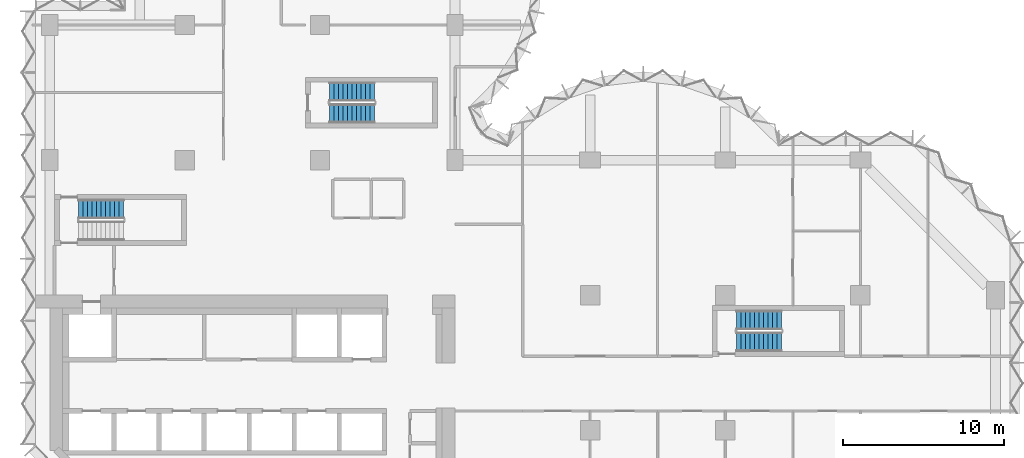
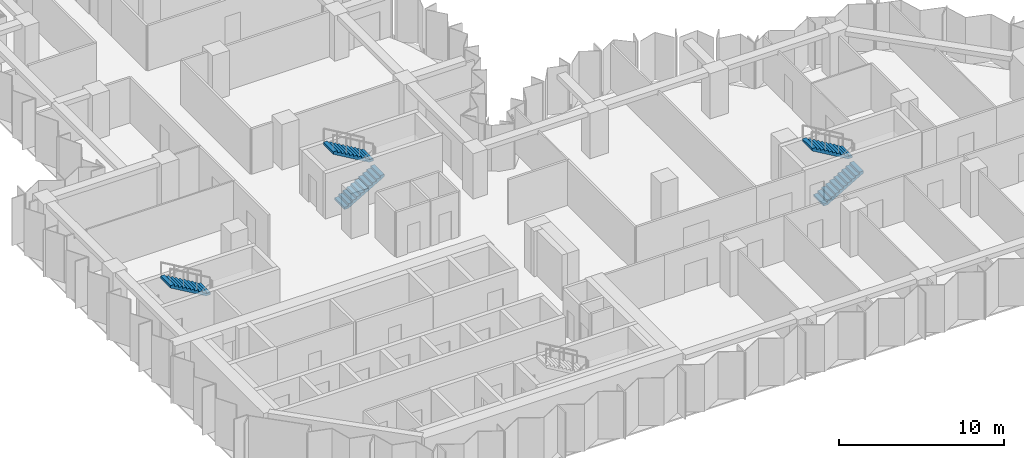
# One storey, part 9 of 11: 5 stair flights, 3 elements without a shape of their own.
"""IFC4 building model written with IfcOpenShell, lengths in metres."""

import ifcopenshell
import ifcopenshell.guid

model = None  # the IFC model being written
_history = None  # IfcOwnerHistory: only IFC2X3 demands one
_inside = {}  # id of a spatial element -> (the spatial element, [elements in it])
_under = {}  # id of a project, library or spatial element -> (it, [spatial elements below it])
_declared = {}  # id of a project -> (the project, [libraries it declares])
_typed = {}  # id of a type object -> (the type object, [elements of that type])
_made_of = {}  # id of a material, layer set ... -> (it, [elements and type objects made of it])


def new_model(schema):
    """Start an empty IFC model of exactly this schema.

    Asked for "IFC4X3", IfcOpenShell would pick the latest addendum, in which some entities
    have other attributes; the version numbers below select the first issue.
    IFC2X3 requires an IfcOwnerHistory on every rooted entity: one is made here for all.
    """
    global model, _history
    if schema == "IFC4X3":
        model = ifcopenshell.file(schema_version=(4, 3, 0, 0))
    else:
        model = ifcopenshell.file(schema=schema)
    _inside.clear()
    _under.clear()
    _declared.clear()
    _typed.clear()
    _made_of.clear()
    _history = None
    if model.schema == "IFC2X3":
        org = make("IfcOrganization", Name="unknown")
        user = make(
            "IfcPersonAndOrganization",
            ThePerson=make("IfcPerson", FamilyName="unknown"),
            TheOrganization=org,
        )
        app = make(
            "IfcApplication",
            ApplicationDeveloper=org,
            Version="unknown",
            ApplicationFullName="unknown",
            ApplicationIdentifier="unknown",
        )
        _history = make(
            "IfcOwnerHistory",
            OwningUser=user,
            OwningApplication=app,
            ChangeAction="ADDED",
            CreationDate=0,
        )
    return model


def make(cls, **values):
    """One entity of the class cls with the attributes given. An attribute that is None is left unset."""
    return model.create_entity(
        cls, **{name: value for name, value in values.items() if value is not None}
    )


def rooted(cls, **values):
    """An entity with a GlobalId (a new one), such as an element, a storey or a relation."""
    return make(cls, GlobalId=ifcopenshell.guid.new(), OwnerHistory=_history, **values)


def si_unit(unit_type, name, prefix=None):
    """IfcSIUnit, for example si_unit("LENGTHUNIT", "METRE", prefix="MILLI")."""
    return make("IfcSIUnit", UnitType=unit_type, Prefix=prefix, Name=name)


def assignment(units):
    """IfcUnitAssignment: the units of a project."""
    return None if units is None else make("IfcUnitAssignment", Units=units)


def point(xyz):
    """IfcCartesianPoint."""
    return None if xyz is None else make("IfcCartesianPoint", Coordinates=xyz)


def direction(xyz):
    """IfcDirection."""
    return None if xyz is None else make("IfcDirection", DirectionRatios=xyz)


def frame(location, z_axis=None, x_axis=None):
    """IfcAxis2Placement3D, a coordinate frame: its origin and axes. An axis left out is left unset."""
    return make(
        "IfcAxis2Placement3D",
        Location=point(location),
        Axis=direction(z_axis),
        RefDirection=direction(x_axis),
    )


def origin():
    """The frame at (0, 0, 0) with its axes left unset."""
    return frame((0.0, 0.0, 0.0))


def place(relative_to, where):
    """IfcLocalPlacement: puts the frame where relative to a parent placement (None: the world)."""
    return make(
        "IfcLocalPlacement", PlacementRelTo=relative_to, RelativePlacement=where
    )


def context(
    kind, dimensions, precision=None, world=None, true_north=None, identifier=None
):
    """IfcGeometricRepresentationContext, for example the 3D "Model" context."""
    return make(
        "IfcGeometricRepresentationContext",
        ContextIdentifier=identifier,
        ContextType=kind,
        CoordinateSpaceDimension=dimensions,
        Precision=precision,
        WorldCoordinateSystem=world,
        TrueNorth=true_north,
    )


def subcontext(parent, identifier, kind, view, scale=None):
    """IfcGeometricRepresentationSubContext, for example "Body" below "Model"."""
    return make(
        "IfcGeometricRepresentationSubContext",
        ContextIdentifier=identifier,
        ContextType=kind,
        ParentContext=parent,
        TargetScale=scale,
        TargetView=view,
    )


def project(units=None, contexts=None):
    """IfcProject with its units and contexts."""
    return rooted(
        "IfcProject",
        Name="project",
        RepresentationContexts=contexts,
        UnitsInContext=assignment(units),
    )


def spatial(cls, under=None, at=None, **own):
    """A site, building, storey or space (cls), placed at a placement, below another one or the project."""
    s = rooted(cls, ObjectPlacement=at, **own)
    if under is not None:
        _under.setdefault(under.id(), (under, []))[1].append(s)
    return s


def polyline(points):
    """IfcPolyline through the points."""
    return make("IfcPolyline", Points=[point(p) for p in points])


def outline(outer, holes=None, kind="AREA"):
    """IfcArbitraryClosedProfileDef: a profile drawn as a closed curve; with holes, ...WithVoids."""
    if holes is None:
        return make("IfcArbitraryClosedProfileDef", ProfileType=kind, OuterCurve=outer)
    return make(
        "IfcArbitraryProfileDefWithVoids",
        ProfileType=kind,
        OuterCurve=outer,
        InnerCurves=holes,
    )


def extrude(swept, where, along, depth):
    """IfcExtrudedAreaSolid: the profile swept, set in the frame where, extruded along a direction by depth."""
    return make(
        "IfcExtrudedAreaSolid",
        SweptArea=swept,
        Position=where,
        ExtrudedDirection=direction(along),
        Depth=depth,
    )


def shape(context_of_items, identifier, shape_type, items):
    """IfcShapeRepresentation: the items that make up one representation, for example the "Body"."""
    return make(
        "IfcShapeRepresentation",
        ContextOfItems=context_of_items,
        RepresentationIdentifier=identifier,
        RepresentationType=shape_type,
        Items=items,
    )


def material(Name=None, Category=None):
    """IfcMaterial."""
    return make("IfcMaterial", Name=Name, Category=Category)


def made_of(thing, what):
    """Note that an element or type object is made of a material, layer set ...; save() writes the relation."""
    if what is not None:
        _made_of.setdefault(what.id(), (what, []))[1].append(thing)
    return thing


def type_object(cls, material=None, **own):
    """A type object (cls), such as IfcWallType, which elements share."""
    return made_of(rooted(cls, **own), material)


def element(
    cls,
    number,
    at=None,
    inside=None,
    cuts=None,
    type_object=None,
    material=None,
    context=None,
    identifier="Body",
    shape_type=None,
    held_by="IfcProductDefinitionShape",
    body=None,
    shapes=None,
    **own,
):
    """One element of the class cls, such as IfcWall. Its Tag is "e" and its number.

    at: its placement. inside: the storey or other place that contains it. cuts: it is an
    opening in that element (IfcRelVoidsElement). A single representation is given by context,
    identifier, shape_type and body (its items); several are given by shapes. held_by: the class
    of the entity that holds the representations. save() writes the other relations.
    """
    e = rooted(cls, Tag="e%d" % number, ObjectPlacement=at, **own)
    if body is not None:
        shapes = [shape(context, identifier, shape_type, body)]
    if shapes is not None:
        e.Representation = make(held_by, Representations=shapes)
    if inside is not None:
        _inside.setdefault(inside.id(), (inside, []))[1].append(e)
    if cuts is not None:
        rooted(
            "IfcRelVoidsElement", RelatingBuildingElement=cuts, RelatedOpeningElement=e
        )
    if type_object is not None:
        _typed.setdefault(type_object.id(), (type_object, []))[1].append(e)
    return made_of(e, material)


def aggregate(whole, parts):
    """IfcRelAggregates: a whole, such as a stair, and the parts it consists of."""
    return rooted("IfcRelAggregates", RelatingObject=whole, RelatedObjects=parts)


def save(model, path):
    """Write the relations noted so far, then the file.

    IfcRelAggregates (storeys below a building ...), IfcRelContainedInSpatialStructure (elements
    in a storey), IfcRelDefinesByType, IfcRelAssociatesMaterial and IfcRelDeclares: one each for
    every whole, place, type object, material and project.
    """
    for whole, parts in _under.values():
        aggregate(whole, parts)
    for where, things in _inside.values():
        rooted(
            "IfcRelContainedInSpatialStructure",
            RelatedElements=things,
            RelatingStructure=where,
        )
    for kind, things in _typed.values():
        rooted("IfcRelDefinesByType", RelatedObjects=things, RelatingType=kind)
    for what, things in _made_of.values():
        rooted("IfcRelAssociatesMaterial", RelatedObjects=things, RelatingMaterial=what)
    for by, libraries in _declared.values():
        rooted("IfcRelDeclares", RelatingContext=by, RelatedDefinitions=libraries)
    model.write(path)


model = new_model("IFC4")

# Units and contexts
model_context = context("Model", 3, precision=1e-05, world=origin(), true_north=direction((0.0, 1.0)))
body_context = subcontext(model_context, "Body", "Model", "MODEL_VIEW")
ifc_project = project(units=[si_unit("LENGTHUNIT", "METRE"), si_unit("AREAUNIT", "SQUARE_METRE"), si_unit("VOLUMEUNIT", "CUBIC_METRE"), si_unit("PLANEANGLEUNIT", "RADIAN"), si_unit("MASSUNIT", "GRAM", prefix="KILO")], contexts=[model_context])

# Site, building, storey
site_placement = place(None, origin())
site = spatial("IfcSite", under=ifc_project, at=site_placement, CompositionType="ELEMENT")
building_placement = place(site_placement, origin())
building = spatial("IfcBuilding", under=site, at=building_placement, Name="Brevane Broadcast Tower", CompositionType="ELEMENT")
storey_placement = place(building_placement, frame((0.0, 0.0, 149.300048828125)))
storey = spatial("IfcBuildingStorey", under=building, at=storey_placement, Name="L37", CompositionType="ELEMENT", Elevation=149.300048828125)

# Stair, stair flight
ifc_material = material(Name="Concrete C50/60", Category="concrete")
stair_type = type_object("IfcStairType", Name="Exit stair 22 risers", PredefinedType="HALF_TURN_STAIR", material=ifc_material)
stair_1_placement = place(storey_placement, origin())
stair_1 = element("IfcStair", 1, at=stair_1_placement, inside=storey, type_object=stair_type, Name="L37 Exit stair ST-1", PredefinedType="HALF_TURN_STAIR")
stair_flight_type = type_object("IfcStairFlightType", Name="Exit stair flight 22 risers", PredefinedType="STRAIGHT", material=ifc_material)
stair_flight_1_placement = place(storey_placement, frame((4.60009765625, 22.14990234375, 1.800048828125), z_axis=(0.0, 0.0, 1.0), x_axis=(-1.0, 0.0, 0.0)))
stair_flight_1 = element("IfcStairFlight", 2, at=stair_flight_1_placement, type_object=stair_flight_type, Name="ST-1 flight 2", NumberOfRisers=11, NumberOfTreads=10, PredefinedType="STRAIGHT", RiserHeight=0.163636364, TreadLength=0.28, context=body_context, shape_type="SweptSolid", body=[
    extrude(outline(polyline([(0.0, 0.0), (0.0, 0.16357421875), (0.280029296875, 0.16357421875), (0.280029296875, 0.327392578125), (0.56005859375, 0.327392578125), (0.56005859375, 0.490966796875), (0.840087890625, 0.490966796875), (0.840087890625, 0.654541015625), (1.1201171875, 0.654541015625), (1.1201171875, 0.818115234375), (1.39990234375, 0.818115234375), (1.39990234375, 0.98193359375), (1.679931640625, 0.98193359375), (1.679931640625, 1.1455078125), (1.9599609375, 1.1455078125), (1.9599609375, 1.30908203125), (2.239990234375, 1.30908203125), (2.239990234375, 1.47265625), (2.52001953125, 1.47265625), (2.52001953125, 1.636474609375), (2.800048828125, 1.636474609375), (2.800048828125, 1.800048828125), (2.800048828125, 1.462646484375), (0.297119140625, 0.0), (0.0, 0.0)])), frame((0.0, 0.60009765625, 0.0), z_axis=(0.0, -1.0, 0.0), x_axis=(1.0, 0.0, 0.0)), (0.0, 0.0, 1.0), 1.199951171875),
])
aggregate(stair_1, [stair_flight_1])

# Stair, stair flights
stair_2_placement = place(storey_placement, origin())
stair_2 = element("IfcStair", 3, at=stair_2_placement, inside=storey, type_object=stair_type, Name="L37 Exit stair ST-3", PredefinedType="HALF_TURN_STAIR")
stair_flight_2_placement = place(storey_placement, frame((17.39990234375, 28.10009765625, 0.0), z_axis=(0.0, 0.0, 1.0), x_axis=(1.0, 0.0, 0.0)))
stair_flight_2 = element("IfcStairFlight", 4, at=stair_flight_2_placement, type_object=stair_flight_type, Name="ST-3 flight 1", NumberOfRisers=11, NumberOfTreads=10, PredefinedType="STRAIGHT", RiserHeight=0.163636364, TreadLength=0.28, context=body_context, shape_type="SweptSolid", body=[
    extrude(outline(polyline([(0.0, 0.0), (0.0, 0.16357421875), (0.280029296875, 0.16357421875), (0.280029296875, 0.327392578125), (0.56005859375, 0.327392578125), (0.56005859375, 0.490966796875), (0.840087890625, 0.490966796875), (0.840087890625, 0.654541015625), (1.1201171875, 0.654541015625), (1.1201171875, 0.818115234375), (1.39990234375, 0.818115234375), (1.39990234375, 0.98193359375), (1.679931640625, 0.98193359375), (1.679931640625, 1.1455078125), (1.9599609375, 1.1455078125), (1.9599609375, 1.30908203125), (2.239990234375, 1.30908203125), (2.239990234375, 1.47265625), (2.52001953125, 1.47265625), (2.52001953125, 1.636474609375), (2.800048828125, 1.636474609375), (2.800048828125, 1.800048828125), (2.800048828125, 1.462646484375), (0.297119140625, 0.0), (0.0, 0.0)])), frame((0.0, 0.60009765625, 0.0), z_axis=(0.0, -1.0, 0.0), x_axis=(1.0, 0.0, 0.0)), (0.0, 0.0, 1.0), 1.199951171875),
])
stair_flight_3_placement = place(storey_placement, frame((20.199951171875, 29.449951171875, 1.800048828125), z_axis=(0.0, 0.0, 1.0), x_axis=(-1.0, 0.0, 0.0)))
stair_flight_3 = element("IfcStairFlight", 5, at=stair_flight_3_placement, type_object=stair_flight_type, Name="ST-3 flight 2", NumberOfRisers=11, NumberOfTreads=10, PredefinedType="STRAIGHT", RiserHeight=0.163636364, TreadLength=0.28, context=body_context, shape_type="SweptSolid", body=[
    extrude(outline(polyline([(0.0, 0.0), (0.0, 0.16357421875), (0.280029296875, 0.16357421875), (0.280029296875, 0.327392578125), (0.56005859375, 0.327392578125), (0.56005859375, 0.490966796875), (0.840087890625, 0.490966796875), (0.840087890625, 0.654541015625), (1.1201171875, 0.654541015625), (1.1201171875, 0.818115234375), (1.39990234375, 0.818115234375), (1.39990234375, 0.98193359375), (1.679931640625, 0.98193359375), (1.679931640625, 1.1455078125), (1.9599609375, 1.1455078125), (1.9599609375, 1.30908203125), (2.239990234375, 1.30908203125), (2.239990234375, 1.47265625), (2.52001953125, 1.47265625), (2.52001953125, 1.636474609375), (2.800048828125, 1.636474609375), (2.800048828125, 1.800048828125), (2.800048828125, 1.462646484375), (0.297119140625, 0.0), (0.0, 0.0)])), frame((0.0, 0.60009765625, 0.0), z_axis=(0.0, -1.0, 0.0), x_axis=(1.0, 0.0, 0.0)), (0.0, 0.0, 1.0), 1.199951171875),
])
aggregate(stair_2, [stair_flight_2, stair_flight_3])

stair_3_placement = place(storey_placement, origin())
stair_3 = element("IfcStair", 6, at=stair_3_placement, inside=storey, type_object=stair_type, Name="L37 Exit stair ST-4", PredefinedType="HALF_TURN_STAIR")
stair_flight_4_placement = place(storey_placement, frame((42.699951171875, 13.89990234375, 0.0), z_axis=(0.0, 0.0, 1.0), x_axis=(1.0, 0.0, 0.0)))
stair_flight_4 = element("IfcStairFlight", 7, at=stair_flight_4_placement, type_object=stair_flight_type, Name="ST-4 flight 1", NumberOfRisers=11, NumberOfTreads=10, PredefinedType="STRAIGHT", RiserHeight=0.163636364, TreadLength=0.28, context=body_context, shape_type="SweptSolid", body=[
    extrude(outline(polyline([(0.0, 0.0), (0.0, 0.16357421875), (0.280029296875, 0.16357421875), (0.280029296875, 0.327392578125), (0.56005859375, 0.327392578125), (0.56005859375, 0.490966796875), (0.840087890625, 0.490966796875), (0.840087890625, 0.654541015625), (1.1201171875, 0.654541015625), (1.1201171875, 0.818115234375), (1.39990234375, 0.818115234375), (1.39990234375, 0.98193359375), (1.679931640625, 0.98193359375), (1.679931640625, 1.1455078125), (1.9599609375, 1.1455078125), (1.9599609375, 1.30908203125), (2.239990234375, 1.30908203125), (2.239990234375, 1.47265625), (2.52001953125, 1.47265625), (2.52001953125, 1.636474609375), (2.800048828125, 1.636474609375), (2.800048828125, 1.800048828125), (2.800048828125, 1.462646484375), (0.297119140625, 0.0), (0.0, 0.0)])), frame((0.0, 0.60009765625, 0.0), z_axis=(0.0, -1.0, 0.0), x_axis=(1.0, 0.0, 0.0)), (0.0, 0.0, 1.0), 1.199951171875),
])
stair_flight_5_placement = place(storey_placement, frame((45.5, 15.25, 1.800048828125), z_axis=(0.0, 0.0, 1.0), x_axis=(-1.0, 0.0, 0.0)))
stair_flight_5 = element("IfcStairFlight", 8, at=stair_flight_5_placement, type_object=stair_flight_type, Name="ST-4 flight 2", NumberOfRisers=11, NumberOfTreads=10, PredefinedType="STRAIGHT", RiserHeight=0.163636364, TreadLength=0.28, context=body_context, shape_type="SweptSolid", body=[
    extrude(outline(polyline([(0.0, 0.0), (0.0, 0.16357421875), (0.280029296875, 0.16357421875), (0.280029296875, 0.327392578125), (0.56005859375, 0.327392578125), (0.56005859375, 0.490966796875), (0.840087890625, 0.490966796875), (0.840087890625, 0.654541015625), (1.1201171875, 0.654541015625), (1.1201171875, 0.818115234375), (1.39990234375, 0.818115234375), (1.39990234375, 0.98193359375), (1.679931640625, 0.98193359375), (1.679931640625, 1.1455078125), (1.9599609375, 1.1455078125), (1.9599609375, 1.30908203125), (2.239990234375, 1.30908203125), (2.239990234375, 1.47265625), (2.52001953125, 1.47265625), (2.52001953125, 1.636474609375), (2.800048828125, 1.636474609375), (2.800048828125, 1.800048828125), (2.800048828125, 1.462646484375), (0.297119140625, 0.0), (0.0, 0.0)])), frame((0.0, 0.60009765625, 0.0), z_axis=(0.0, -1.0, 0.0), x_axis=(1.0, 0.0, 0.0)), (0.0, 0.0, 1.0), 1.199951171875),
])
aggregate(stair_3, [stair_flight_4, stair_flight_5])

save(model, "model.ifc")
